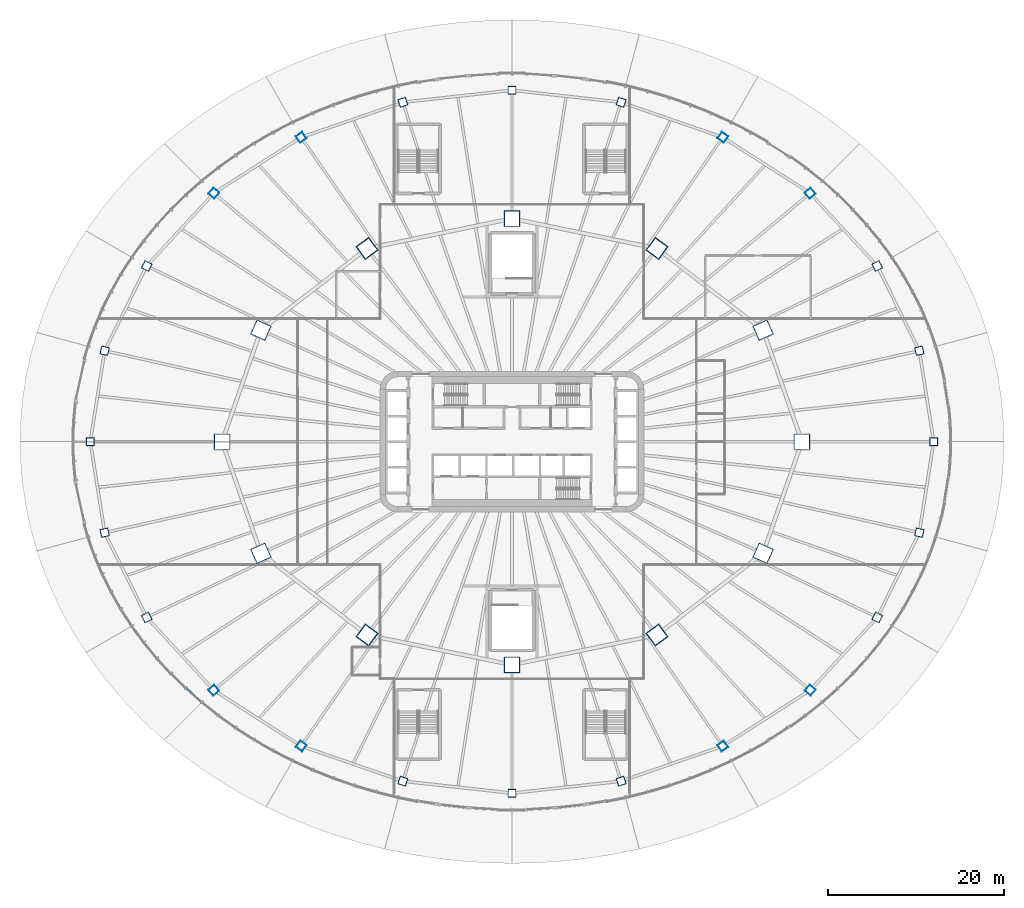
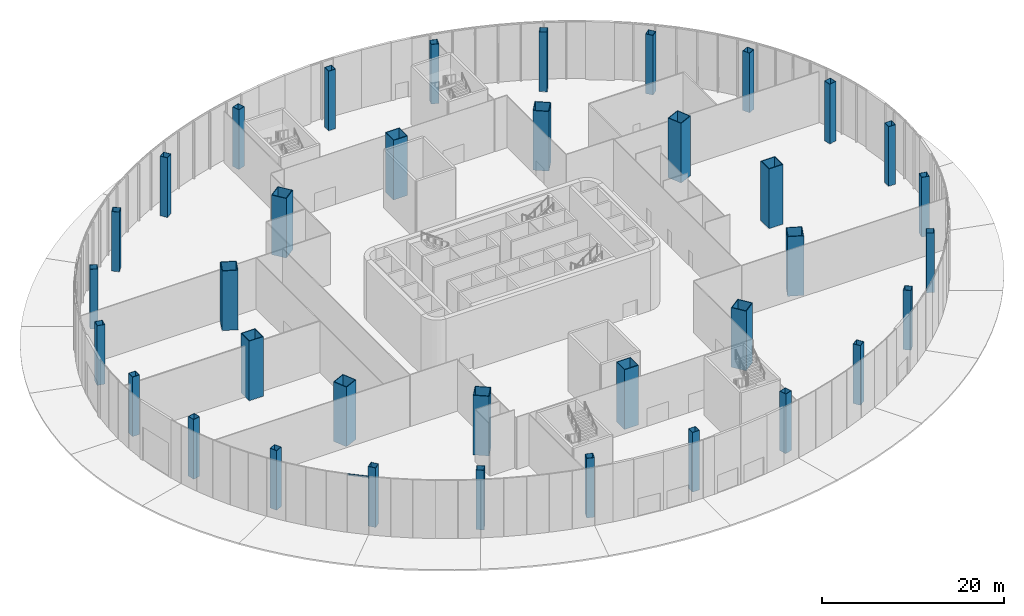
# One storey, part 1 of 36: 36 columns, 1 member, 1 element without a shape of its own.
"""IFC4 building model written with IfcOpenShell, lengths in metres."""

import ifcopenshell
import ifcopenshell.guid

model = None  # the IFC model being written
_history = None  # IfcOwnerHistory: only IFC2X3 demands one
_inside = {}  # id of a spatial element -> (the spatial element, [elements in it])
_under = {}  # id of a project, library or spatial element -> (it, [spatial elements below it])
_declared = {}  # id of a project -> (the project, [libraries it declares])
_typed = {}  # id of a type object -> (the type object, [elements of that type])
_made_of = {}  # id of a material, layer set ... -> (it, [elements and type objects made of it])


def new_model(schema):
    """Start an empty IFC model of exactly this schema.

    Asked for "IFC4X3", IfcOpenShell would pick the latest addendum, in which some entities
    have other attributes; the version numbers below select the first issue.
    IFC2X3 requires an IfcOwnerHistory on every rooted entity: one is made here for all.
    """
    global model, _history
    if schema == "IFC4X3":
        model = ifcopenshell.file(schema_version=(4, 3, 0, 0))
    else:
        model = ifcopenshell.file(schema=schema)
    _inside.clear()
    _under.clear()
    _declared.clear()
    _typed.clear()
    _made_of.clear()
    _history = None
    if model.schema == "IFC2X3":
        org = make("IfcOrganization", Name="unknown")
        user = make(
            "IfcPersonAndOrganization",
            ThePerson=make("IfcPerson", FamilyName="unknown"),
            TheOrganization=org,
        )
        app = make(
            "IfcApplication",
            ApplicationDeveloper=org,
            Version="unknown",
            ApplicationFullName="unknown",
            ApplicationIdentifier="unknown",
        )
        _history = make(
            "IfcOwnerHistory",
            OwningUser=user,
            OwningApplication=app,
            ChangeAction="ADDED",
            CreationDate=0,
        )
    return model


def make(cls, **values):
    """One entity of the class cls with the attributes given. An attribute that is None is left unset."""
    return model.create_entity(
        cls, **{name: value for name, value in values.items() if value is not None}
    )


def rooted(cls, **values):
    """An entity with a GlobalId (a new one), such as an element, a storey or a relation."""
    return make(cls, GlobalId=ifcopenshell.guid.new(), OwnerHistory=_history, **values)


def si_unit(unit_type, name, prefix=None):
    """IfcSIUnit, for example si_unit("LENGTHUNIT", "METRE", prefix="MILLI")."""
    return make("IfcSIUnit", UnitType=unit_type, Prefix=prefix, Name=name)


def assignment(units):
    """IfcUnitAssignment: the units of a project."""
    return None if units is None else make("IfcUnitAssignment", Units=units)


def point(xyz):
    """IfcCartesianPoint."""
    return None if xyz is None else make("IfcCartesianPoint", Coordinates=xyz)


def direction(xyz):
    """IfcDirection."""
    return None if xyz is None else make("IfcDirection", DirectionRatios=xyz)


def frame(location, z_axis=None, x_axis=None):
    """IfcAxis2Placement3D, a coordinate frame: its origin and axes. An axis left out is left unset."""
    return make(
        "IfcAxis2Placement3D",
        Location=point(location),
        Axis=direction(z_axis),
        RefDirection=direction(x_axis),
    )


def frame_2d(location, x_axis=None):
    """IfcAxis2Placement2D, a coordinate frame in the plane: its origin and x axis."""
    return make(
        "IfcAxis2Placement2D", Location=point(location), RefDirection=direction(x_axis)
    )


def origin():
    """The frame at (0, 0, 0) with its axes left unset."""
    return frame((0.0, 0.0, 0.0))


def origin_2d():
    """The frame at (0, 0) in the plane with its x axis left unset."""
    return frame_2d((0.0, 0.0))


def place(relative_to, where):
    """IfcLocalPlacement: puts the frame where relative to a parent placement (None: the world)."""
    return make(
        "IfcLocalPlacement", PlacementRelTo=relative_to, RelativePlacement=where
    )


def context(
    kind, dimensions, precision=None, world=None, true_north=None, identifier=None
):
    """IfcGeometricRepresentationContext, for example the 3D "Model" context."""
    return make(
        "IfcGeometricRepresentationContext",
        ContextIdentifier=identifier,
        ContextType=kind,
        CoordinateSpaceDimension=dimensions,
        Precision=precision,
        WorldCoordinateSystem=world,
        TrueNorth=true_north,
    )


def subcontext(parent, identifier, kind, view, scale=None):
    """IfcGeometricRepresentationSubContext, for example "Body" below "Model"."""
    return make(
        "IfcGeometricRepresentationSubContext",
        ContextIdentifier=identifier,
        ContextType=kind,
        ParentContext=parent,
        TargetScale=scale,
        TargetView=view,
    )


def project(units=None, contexts=None):
    """IfcProject with its units and contexts."""
    return rooted(
        "IfcProject",
        Name="project",
        RepresentationContexts=contexts,
        UnitsInContext=assignment(units),
    )


def spatial(cls, under=None, at=None, **own):
    """A site, building, storey or space (cls), placed at a placement, below another one or the project."""
    s = rooted(cls, ObjectPlacement=at, **own)
    if under is not None:
        _under.setdefault(under.id(), (under, []))[1].append(s)
    return s


def profile(cls, at=None, kind="AREA", **sizes):
    """A parametric profile (cls). Its sizes go by their IFC names, for example OverallWidth=200.0."""
    return make(cls, ProfileType=kind, Position=at, **sizes)


def rectangle(**sizes):
    """IfcRectangleProfileDef."""
    return profile("IfcRectangleProfileDef", **sizes)


def hollow_rectangle(**sizes):
    """IfcRectangleHollowProfileDef."""
    return profile("IfcRectangleHollowProfileDef", **sizes)


def extrude(swept, where, along, depth):
    """IfcExtrudedAreaSolid: the profile swept, set in the frame where, extruded along a direction by depth."""
    return make(
        "IfcExtrudedAreaSolid",
        SweptArea=swept,
        Position=where,
        ExtrudedDirection=direction(along),
        Depth=depth,
    )


def shape(context_of_items, identifier, shape_type, items):
    """IfcShapeRepresentation: the items that make up one representation, for example the "Body"."""
    return make(
        "IfcShapeRepresentation",
        ContextOfItems=context_of_items,
        RepresentationIdentifier=identifier,
        RepresentationType=shape_type,
        Items=items,
    )


def material(Name=None, Category=None):
    """IfcMaterial."""
    return make("IfcMaterial", Name=Name, Category=Category)


def layer(
    of_material, thickness, ventilated=None, Name=None, Category=None, Priority=None
):
    """IfcMaterialLayer: one layer of a wall or slab, of a material (None: an air gap)."""
    return make(
        "IfcMaterialLayer",
        Material=of_material,
        LayerThickness=thickness,
        IsVentilated=ventilated,
        Name=Name,
        Category=Category,
        Priority=Priority,
    )


def layer_set(layers, Name=None):
    """IfcMaterialLayerSet."""
    return make("IfcMaterialLayerSet", MaterialLayers=layers, LayerSetName=Name)


def material_profile(
    of_material, cross_section, Name=None, Category=None, Priority=None
):
    """IfcMaterialProfile: a cross section and its material."""
    return make(
        "IfcMaterialProfile",
        Name=Name,
        Material=of_material,
        Profile=cross_section,
        Priority=Priority,
        Category=Category,
    )


def profile_set(profiles, Name=None, composite=None):
    """IfcMaterialProfileSet."""
    return make(
        "IfcMaterialProfileSet",
        Name=Name,
        MaterialProfiles=profiles,
        CompositeProfile=composite,
    )


def made_of(thing, what):
    """Note that an element or type object is made of a material, layer set ...; save() writes the relation."""
    if what is not None:
        _made_of.setdefault(what.id(), (what, []))[1].append(thing)
    return thing


def type_object(cls, material=None, **own):
    """A type object (cls), such as IfcWallType, which elements share."""
    return made_of(rooted(cls, **own), material)


def element(
    cls,
    number,
    at=None,
    inside=None,
    cuts=None,
    type_object=None,
    material=None,
    context=None,
    identifier="Body",
    shape_type=None,
    held_by="IfcProductDefinitionShape",
    body=None,
    shapes=None,
    **own,
):
    """One element of the class cls, such as IfcWall. Its Tag is "e" and its number.

    at: its placement. inside: the storey or other place that contains it. cuts: it is an
    opening in that element (IfcRelVoidsElement). A single representation is given by context,
    identifier, shape_type and body (its items); several are given by shapes. held_by: the class
    of the entity that holds the representations. save() writes the other relations.
    """
    e = rooted(cls, Tag="e%d" % number, ObjectPlacement=at, **own)
    if body is not None:
        shapes = [shape(context, identifier, shape_type, body)]
    if shapes is not None:
        e.Representation = make(held_by, Representations=shapes)
    if inside is not None:
        _inside.setdefault(inside.id(), (inside, []))[1].append(e)
    if cuts is not None:
        rooted(
            "IfcRelVoidsElement", RelatingBuildingElement=cuts, RelatedOpeningElement=e
        )
    if type_object is not None:
        _typed.setdefault(type_object.id(), (type_object, []))[1].append(e)
    return made_of(e, material)


def aggregate(whole, parts):
    """IfcRelAggregates: a whole, such as a stair, and the parts it consists of."""
    return rooted("IfcRelAggregates", RelatingObject=whole, RelatedObjects=parts)


def save(model, path):
    """Write the relations noted so far, then the file.

    IfcRelAggregates (storeys below a building ...), IfcRelContainedInSpatialStructure (elements
    in a storey), IfcRelDefinesByType, IfcRelAssociatesMaterial and IfcRelDeclares: one each for
    every whole, place, type object, material and project.
    """
    for whole, parts in _under.values():
        aggregate(whole, parts)
    for where, things in _inside.values():
        rooted(
            "IfcRelContainedInSpatialStructure",
            RelatedElements=things,
            RelatingStructure=where,
        )
    for kind, things in _typed.values():
        rooted("IfcRelDefinesByType", RelatedObjects=things, RelatingType=kind)
    for what, things in _made_of.values():
        rooted("IfcRelAssociatesMaterial", RelatedObjects=things, RelatingMaterial=what)
    for by, libraries in _declared.values():
        rooted("IfcRelDeclares", RelatingContext=by, RelatedDefinitions=libraries)
    model.write(path)


model = new_model("IFC4")

# Units and contexts
model_context = context("Model", 3, precision=1e-05, world=origin(), true_north=direction((0.0, 1.0)))
body_context = subcontext(model_context, "Body", "Model", "MODEL_VIEW")
ifc_project = project(units=[si_unit("LENGTHUNIT", "METRE"), si_unit("AREAUNIT", "SQUARE_METRE"), si_unit("VOLUMEUNIT", "CUBIC_METRE"), si_unit("PLANEANGLEUNIT", "RADIAN"), si_unit("MASSUNIT", "GRAM", prefix="KILO")], contexts=[model_context])

# Site, building, storey
site_placement = place(None, origin())
site = spatial("IfcSite", under=ifc_project, at=site_placement, CompositionType="ELEMENT")
building_placement = place(site_placement, origin())
building = spatial("IfcBuilding", under=site, at=building_placement, Name="Sahrelin Media Tower", CompositionType="ELEMENT")
storey_placement = place(building_placement, origin())
storey = spatial("IfcBuildingStorey", under=building, at=storey_placement, Name="L00", CompositionType="ELEMENT", Elevation=0.0)

# Columns
ifc_material_1 = material(Name="Steel S460", Category="steel")
ifc_material_profile_1 = material_profile(ifc_material_1, hollow_rectangle(XDim=1.800048828125, YDim=1.800048828125, WallThickness=0.080078125, at=origin_2d()), Name="Mega column MC1")
ifc_profile_set_1 = profile_set([ifc_material_profile_1], Name="Steel S460")
column_type_1 = type_object("IfcColumnType", Name="Mega column MC1", PredefinedType="COLUMN", material=ifc_profile_set_1)
for number, where, z_axis, x_axis, name in (
    (1, (33.0, 0.0, 0.0), (0.0, 0.0, 1.0), (1.0, 0.0, 0.0), "Mega column MC-00"),
    (2, (28.578857421875, 12.699951171875, 0.0), (0.0, 0.0, 1.0), (0.913831317054, 0.40609398416, 0.0), "Mega column MC-01"),
    (3, (16.5, 21.9970703125, 0.0), (0.0, 0.0, 1.0), (0.600051693363, 0.799961227368, 0.0), "Mega column MC-02"),
    (4, (0.0, 25.39990234375, 0.0), (0.0, 0.0, 1.0), (0.0, 1.0, 0.0), "Mega column MC-03"),
    (5, (-16.5, 21.9970703125, 0.0), (0.0, 0.0, 1.0), (-0.600051693363, 0.799961227368, 0.0), "Mega column MC-04"),
    (6, (-28.578857421875, 12.699951171875, 0.0), (0.0, 0.0, 1.0), (-0.913831317054, 0.40609398416, 0.0), "Mega column MC-05"),
    (7, (-33.0, 0.0, 0.0), (0.0, 0.0, 1.0), (-1.0, 0.0, 0.0), "Mega column MC-06"),
    (8, (-28.578857421875, -12.699951171875, 0.0), (0.0, 0.0, 1.0), (-0.913831317054, -0.40609398416, 0.0), "Mega column MC-07"),
    (9, (-16.5, -21.9970703125, 0.0), (0.0, 0.0, 1.0), (-0.600051693363, -0.799961227368, 0.0), "Mega column MC-08"),
    (10, (0.0, -25.39990234375, 0.0), (0.0, 0.0, 1.0), (0.0, -1.0, 0.0), "Mega column MC-09"),
    (11, (16.5, -21.9970703125, 0.0), (0.0, 0.0, 1.0), (0.600051693363, -0.799961227368, 0.0), "Mega column MC-10"),
    (12, (28.578857421875, -12.699951171875, 0.0), (0.0, 0.0, 1.0), (0.913831317054, -0.40609398416, 0.0), "Mega column MC-11"),
):
    element("IfcColumn", number, at=place(storey_placement, frame(where, z_axis=z_axis, x_axis=x_axis)), inside=storey, type_object=column_type_1, Name=name, PredefinedType="COLUMN", context=body_context, shape_type="SweptSolid", body=[
        extrude(hollow_rectangle(XDim=1.800048828125, YDim=1.800048828125, WallThickness=0.080078125, at=origin_2d()), origin(), (0.0, 0.0, 1.0), 8.0),
    ])
ifc_material_profile_2 = material_profile(ifc_material_1, hollow_rectangle(XDim=0.89990234375, YDim=0.89990234375, WallThickness=0.0400390625, at=origin_2d()), Name="Podium column PC1")
ifc_profile_set_2 = profile_set([ifc_material_profile_2], Name="Steel S460")
column_type_2 = type_object("IfcColumnType", Name="Podium column PC1", PredefinedType="COLUMN", material=ifc_profile_set_2)
for number, where, z_axis, x_axis, name in (
    (13, (48.0, 0.0, 0.0), (0.0, 0.0, 1.0), (1.0, 0.0, 0.0), "Podium column PC-00"),
    (14, (46.364501953125, 10.352783203125, 0.0), (0.0, 0.0, 1.0), (0.975965471253, 0.217925214058, 0.0), "Podium column PC-01"),
    (15, (41.569091796875, 20.0, 0.0), (0.0, 0.0, 1.0), (0.901126969284, 0.433555285089, 0.0), "Podium column PC-02"),
    (16, (33.941162109375, 28.2841796875, 0.0), (0.0, 0.0, 1.0), (0.768220956602, 0.640184787259, 0.0), "Podium column PC-03"),
    (17, (24.0, 34.64111328125, 0.0), (0.0, 0.0, 1.0), (0.569494740726, 0.821994975827, 0.0), "Podium column PC-04"),
    (18, (12.42333984375, 38.636962890625, 0.0), (0.0, 0.0, 1.0), (0.306104074477, 0.951998054404, 0.0), "Podium column PC-05"),
    (19, (0.0, 40.0, 0.0), (0.0, 0.0, 1.0), (0.0, 1.0, 0.0), "Podium column PC-06"),
    (20, (-12.42333984375, 38.636962890625, 0.0), (0.0, 0.0, 1.0), (-0.306104074477, 0.951998054404, 0.0), "Podium column PC-07"),
    (21, (-24.0, 34.64111328125, 0.0), (0.0, 0.0, 1.0), (-0.569494740726, 0.821994975827, 0.0), "Podium column PC-08"),
    (22, (-33.941162109375, 28.2841796875, 0.0), (0.0, 0.0, 1.0), (-0.768220956602, 0.640184787259, 0.0), "Podium column PC-09"),
    (23, (-41.569091796875, 20.0, 0.0), (0.0, 0.0, 1.0), (-0.901126969284, 0.433555285089, 0.0), "Podium column PC-10"),
    (24, (-46.364501953125, 10.352783203125, 0.0), (0.0, 0.0, 1.0), (-0.975965471253, 0.217925214058, 0.0), "Podium column PC-11"),
    (25, (-48.0, 0.0, 0.0), (0.0, 0.0, 1.0), (-1.0, 0.0, 0.0), "Podium column PC-12"),
    (26, (-46.364501953125, -10.352783203125, 0.0), (0.0, 0.0, 1.0), (-0.975965471253, -0.217925214058, 0.0), "Podium column PC-13"),
    (27, (-41.569091796875, -20.0, 0.0), (0.0, 0.0, 1.0), (-0.901126969284, -0.433555285089, 0.0), "Podium column PC-14"),
    (28, (-33.941162109375, -28.2841796875, 0.0), (0.0, 0.0, 1.0), (-0.768220956602, -0.640184787259, 0.0), "Podium column PC-15"),
    (29, (-24.0, -34.64111328125, 0.0), (0.0, 0.0, 1.0), (-0.569494740726, -0.821994975827, 0.0), "Podium column PC-16"),
    (30, (-12.42333984375, -38.636962890625, 0.0), (0.0, 0.0, 1.0), (-0.306104074477, -0.951998054404, 0.0), "Podium column PC-17"),
    (31, (0.0, -40.0, 0.0), (0.0, 0.0, 1.0), (0.0, -1.0, 0.0), "Podium column PC-18"),
    (32, (12.42333984375, -38.636962890625, 0.0), (0.0, 0.0, 1.0), (0.306104074477, -0.951998054404, 0.0), "Podium column PC-19"),
    (33, (24.0, -34.64111328125, 0.0), (0.0, 0.0, 1.0), (0.569494740726, -0.821994975827, 0.0), "Podium column PC-20"),
    (34, (33.941162109375, -28.2841796875, 0.0), (0.0, 0.0, 1.0), (0.768220956602, -0.640184787259, 0.0), "Podium column PC-21"),
    (35, (41.569091796875, -20.0, 0.0), (0.0, 0.0, 1.0), (0.901126969284, -0.433555285089, 0.0), "Podium column PC-22"),
    (36, (46.364501953125, -10.352783203125, 0.0), (0.0, 0.0, 1.0), (0.975965471253, -0.217925214058, 0.0), "Podium column PC-23"),
):
    element("IfcColumn", number, at=place(storey_placement, frame(where, z_axis=z_axis, x_axis=x_axis)), inside=storey, type_object=column_type_2, Name=name, PredefinedType="COLUMN", context=body_context, shape_type="SweptSolid", body=[
        extrude(hollow_rectangle(XDim=0.89990234375, YDim=0.89990234375, WallThickness=0.0400390625, at=origin_2d()), origin(), (0.0, 0.0, 1.0), 8.0),
    ])

# Curtain wall, member
ifc_material_2 = material(Name="Champagne anodised aluminium 6063-T6", Category="aluminium")
ifc_layer = layer(ifc_material_2, 0.14990234375)
ifc_layer_set = layer_set([ifc_layer], Name="Concourse curtain wall")
curtain_wall_type = type_object("IfcCurtainWallType", Name="Concourse curtain wall", PredefinedType="NOTDEFINED", material=ifc_layer_set)
curtain_wall_placement = place(storey_placement, frame((-43.30126953125, -21.0, 0.0), z_axis=(0.0, 0.0, 1.0), x_axis=(1.0, 0.0, 0.0)))
curtain_wall = element("IfcCurtainWall", 37, at=curtain_wall_placement, inside=storey, type_object=curtain_wall_type, Name="L00:CW:L00-P14", PredefinedType="NOTDEFINED")
ifc_material_profile_3 = material_profile(ifc_material_2, rectangle(XDim=0.080078125, YDim=0.199951171875, at=origin_2d()), Name="Transom 80x200")
ifc_profile_set_3 = profile_set([ifc_material_profile_3], Name="Champagne anodised aluminium 6063-T6")
member_type = type_object("IfcMemberType", Name="Transom 80x200 CW4", PredefinedType="USERDEFINED", material=ifc_profile_set_3)
member_placement = place(storey_placement, frame((-37.072509765625, -28.098388671875, 7.699951171875), z_axis=(0.748819786987, -0.66277366168, 0.0), x_axis=(0.66277366168, 0.748819786987, 0.0)))
member = element("IfcMember", 38, at=member_placement, type_object=member_type, Name="L00:CWT5a:L00-P14", ObjectType="TRANSOM", PredefinedType="USERDEFINED", context=body_context, shape_type="SweptSolid", body=[
    extrude(rectangle(XDim=0.080078125, YDim=0.199951171875, at=origin_2d()), origin(), (0.0, 0.0, 1.0), 2.346435546875),
])
aggregate(curtain_wall, [member])

save(model, "model.ifc")
